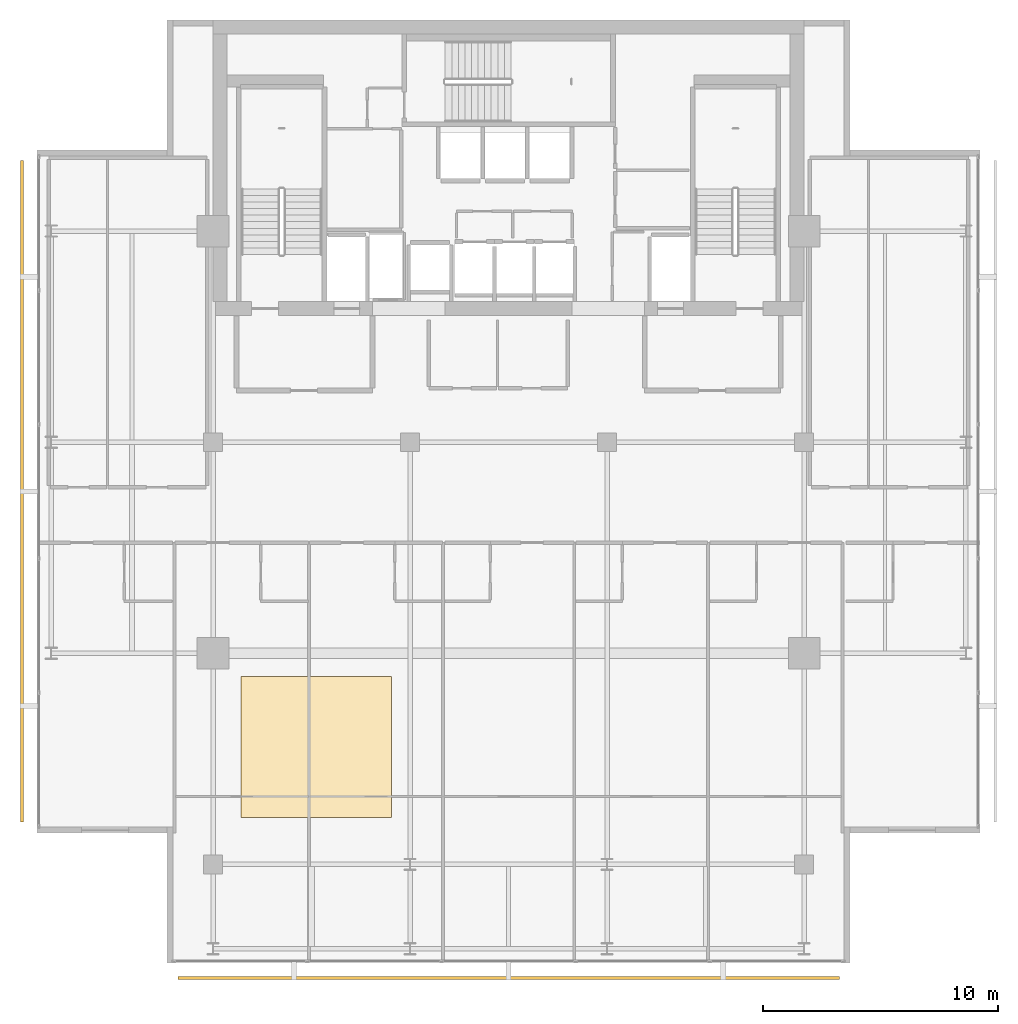
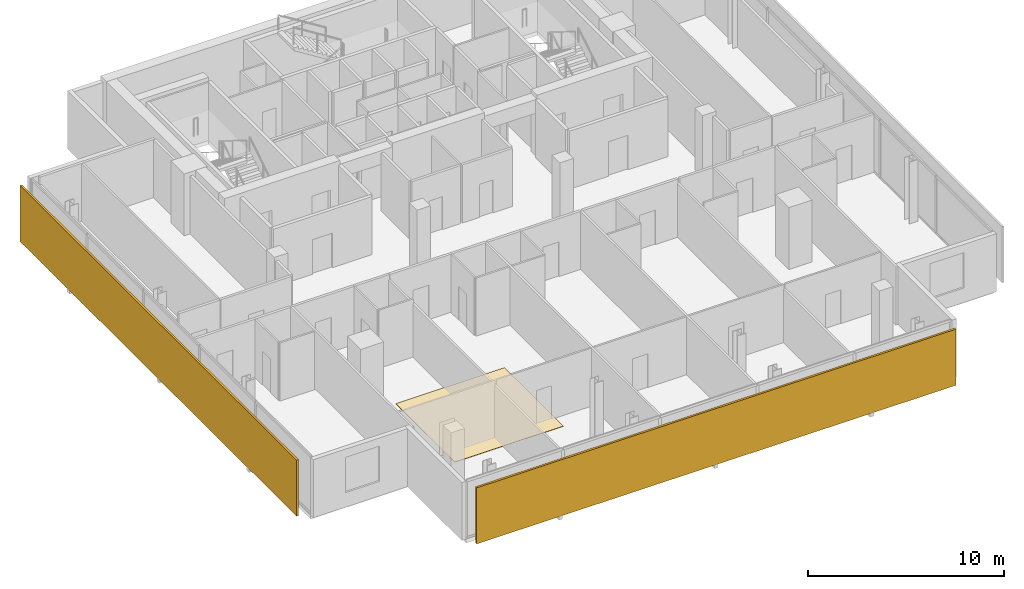
# One storey, part 21 of 24: 2 shading devices, 1 covering.
"""IFC4 building model written with IfcOpenShell, lengths in metres."""

from ifc_helpers import new_model, si_unit, direction, frame, origin, origin_2d, place, context, subcontext, project, spatial, polyline, rectangle, outline, extrude, material, layer, layer_set, type_object, element, save


model = new_model("IFC4")

# Units and contexts
model_context = context("Model", 3, precision=1e-05, world=origin(), true_north=direction((0.0, 1.0)))
body_context = subcontext(model_context, "Body", "Model", "MODEL_VIEW")
ifc_project = project(units=[si_unit("LENGTHUNIT", "METRE"), si_unit("AREAUNIT", "SQUARE_METRE"), si_unit("VOLUMEUNIT", "CUBIC_METRE"), si_unit("PLANEANGLEUNIT", "RADIAN"), si_unit("MASSUNIT", "GRAM", prefix="KILO")], contexts=[model_context])

# Site, building, storey
site_placement = place(None, origin())
site = spatial("IfcSite", under=ifc_project, at=site_placement, CompositionType="ELEMENT")
building_placement = place(site_placement, origin())
building = spatial("IfcBuilding", under=site, at=building_placement, Name="Maruvema Waterfront Hotel and Observation Tower", CompositionType="ELEMENT")
storey_placement = place(building_placement, frame((0.0, 0.0, 325.85009765625)))
storey = spatial("IfcBuildingStorey", under=building, at=storey_placement, Name="L80", CompositionType="ELEMENT", Elevation=325.85009765625)

# Covering
ifc_material_1 = material(Name="Engineered Brazilian freijo hardwood", Category="wood")
ifc_layer_1 = layer(ifc_material_1, 0.02197265625, Name="Engineered Brazilian Freijo Timber Suite Flooring 22 mm")
ifc_layer_set_1 = layer_set([ifc_layer_1], Name="Engineered Brazilian freijo hardwood")
covering_type = type_object("IfcCoveringType", Name="Engineered Brazilian Freijo Timber Suite Flooring 22 mm", PredefinedType="FLOORING", material=ifc_layer_set_1)
covering_placement = place(storey_placement, origin())
element("IfcCovering", 1, at=covering_placement, inside=storey, type_object=covering_type, Name="L80 Sky Suite Freijo Timber Flooring", PredefinedType="FLOORING", context=body_context, shape_type="SweptSolid", body=[
    extrude(outline(polyline([(26.39990234375, 20.0), (32.800048828125, 20.0), (32.800048828125, 26.0), (26.39990234375, 26.0), (26.39990234375, 20.0)])), origin(), (0.0, 0.0, 1.0), 0.02197265625),
])

# Shading devices
ifc_material_2 = material(Name="Honed travertine stone and anodised architectural bronze", Category="masonry")
ifc_layer_2 = layer(ifc_material_2, 0.1201171875, Name="Ventilated Outer Skin Cobogo Stone-and-Bronze Screen 120 mm")
ifc_layer_set_2 = layer_set([ifc_layer_2], Name="Honed travertine stone and anodised architectural bronze")
shading_device_type = type_object("IfcShadingDeviceType", Name="Ventilated Outer Skin Cobogo Stone-and-Bronze Screen 120 mm", PredefinedType="USERDEFINED", material=ifc_layer_set_2)
for number, where, z_axis, x_axis, name in (
    (2, (37.800048828125, 13.14990234375, 0.06005859375), (0.0, 0.0, 1.0), (1.0, 0.0, 0.0), "L80 Ventilated Double-Skin Outer Cobogo Screen OS-L80-S"),
    (3, (17.050048828125, 33.89990234375, 0.06005859375), (0.0, 0.0, 1.0), (0.0, -1.0, 0.0), "L80 Ventilated Double-Skin Outer Cobogo Screen OS-L80-W"),
):
    element("IfcShadingDevice", number, at=place(storey_placement, frame(where, z_axis=z_axis, x_axis=x_axis)), inside=storey, type_object=shading_device_type, Name=name, ObjectType="OUTER SKIN SCREEN", PredefinedType="USERDEFINED", context=body_context, shape_type="SweptSolid", body=[
        extrude(rectangle(XDim=28.199951171875, YDim=0.1201171875, at=origin_2d()), origin(), (0.0, 0.0, 1.0), 3.489990234375),
    ])

save(model, "model.ifc")
